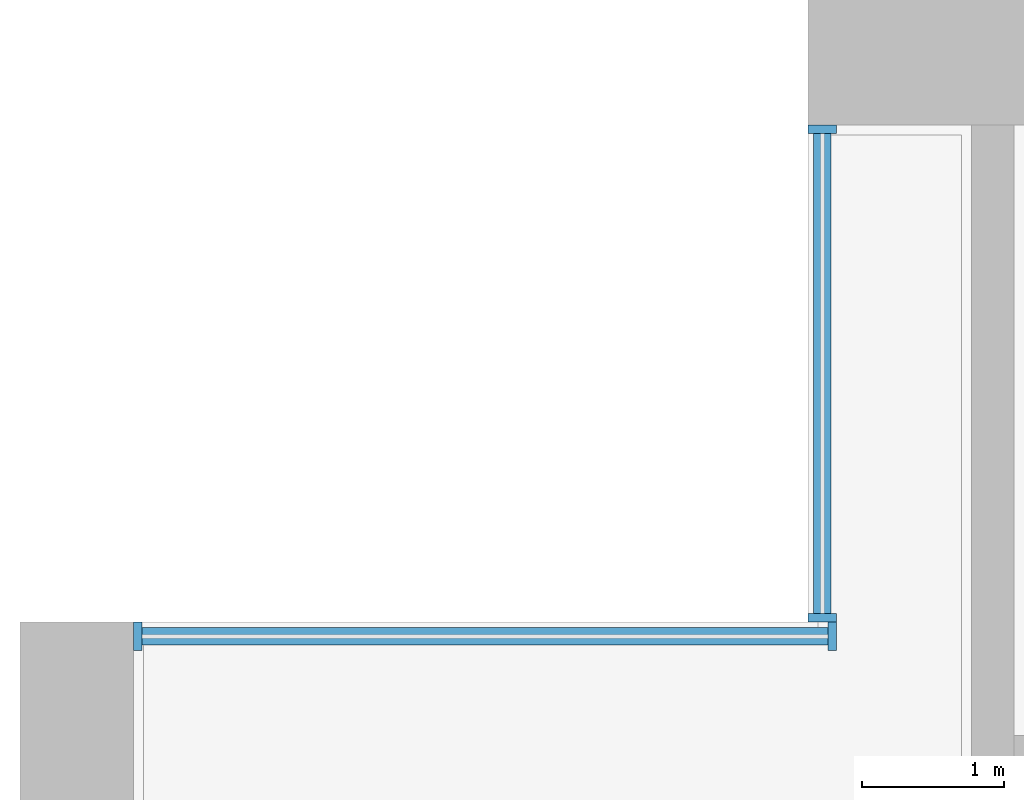
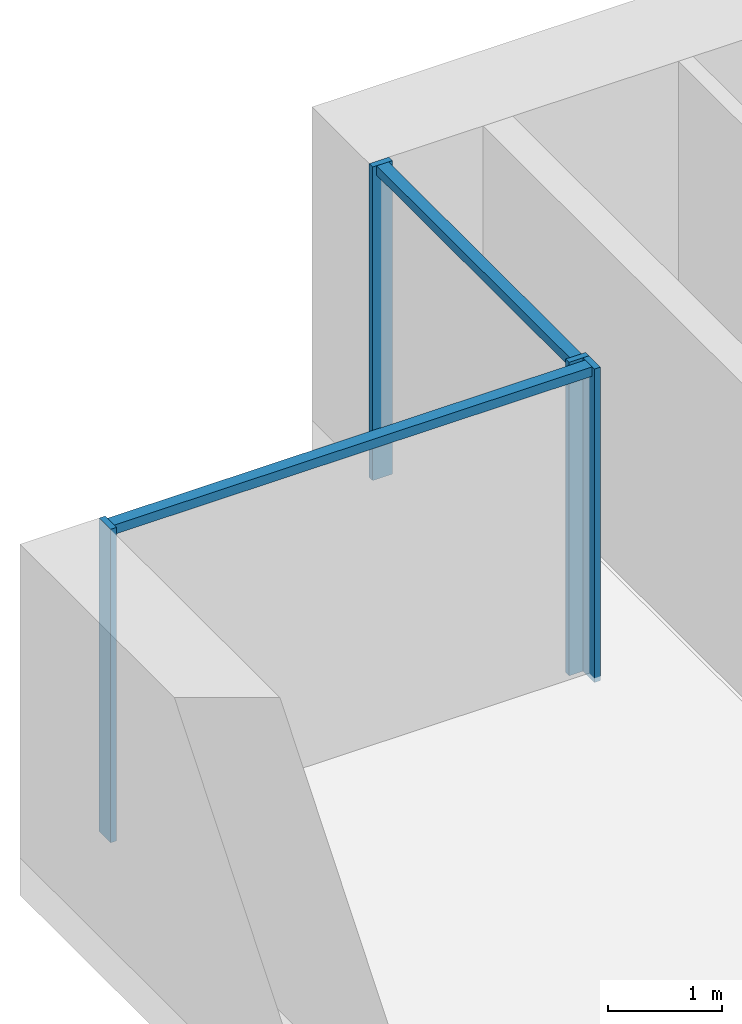
# One storey, part 4 of 18: 6 members, 2 elements without a shape of their own.
"""IFC4 building model written with IfcOpenShell, lengths in metres."""

import ifcopenshell
import ifcopenshell.guid

model = None  # the IFC model being written
_history = None  # IfcOwnerHistory: only IFC2X3 demands one
_inside = {}  # id of a spatial element -> (the spatial element, [elements in it])
_under = {}  # id of a project, library or spatial element -> (it, [spatial elements below it])
_declared = {}  # id of a project -> (the project, [libraries it declares])
_typed = {}  # id of a type object -> (the type object, [elements of that type])
_made_of = {}  # id of a material, layer set ... -> (it, [elements and type objects made of it])


def new_model(schema):
    """Start an empty IFC model of exactly this schema.

    Asked for "IFC4X3", IfcOpenShell would pick the latest addendum, in which some entities
    have other attributes; the version numbers below select the first issue.
    IFC2X3 requires an IfcOwnerHistory on every rooted entity: one is made here for all.
    """
    global model, _history
    if schema == "IFC4X3":
        model = ifcopenshell.file(schema_version=(4, 3, 0, 0))
    else:
        model = ifcopenshell.file(schema=schema)
    _inside.clear()
    _under.clear()
    _declared.clear()
    _typed.clear()
    _made_of.clear()
    _history = None
    if model.schema == "IFC2X3":
        org = make("IfcOrganization", Name="unknown")
        user = make(
            "IfcPersonAndOrganization",
            ThePerson=make("IfcPerson", FamilyName="unknown"),
            TheOrganization=org,
        )
        app = make(
            "IfcApplication",
            ApplicationDeveloper=org,
            Version="unknown",
            ApplicationFullName="unknown",
            ApplicationIdentifier="unknown",
        )
        _history = make(
            "IfcOwnerHistory",
            OwningUser=user,
            OwningApplication=app,
            ChangeAction="ADDED",
            CreationDate=0,
        )
    return model


def make(cls, **values):
    """One entity of the class cls with the attributes given. An attribute that is None is left unset."""
    return model.create_entity(
        cls, **{name: value for name, value in values.items() if value is not None}
    )


def rooted(cls, **values):
    """An entity with a GlobalId (a new one), such as an element, a storey or a relation."""
    return make(cls, GlobalId=ifcopenshell.guid.new(), OwnerHistory=_history, **values)


def si_unit(unit_type, name, prefix=None):
    """IfcSIUnit, for example si_unit("LENGTHUNIT", "METRE", prefix="MILLI")."""
    return make("IfcSIUnit", UnitType=unit_type, Prefix=prefix, Name=name)


def assignment(units):
    """IfcUnitAssignment: the units of a project."""
    return None if units is None else make("IfcUnitAssignment", Units=units)


def point(xyz):
    """IfcCartesianPoint."""
    return None if xyz is None else make("IfcCartesianPoint", Coordinates=xyz)


def direction(xyz):
    """IfcDirection."""
    return None if xyz is None else make("IfcDirection", DirectionRatios=xyz)


def frame(location, z_axis=None, x_axis=None):
    """IfcAxis2Placement3D, a coordinate frame: its origin and axes. An axis left out is left unset."""
    return make(
        "IfcAxis2Placement3D",
        Location=point(location),
        Axis=direction(z_axis),
        RefDirection=direction(x_axis),
    )


def frame_2d(location, x_axis=None):
    """IfcAxis2Placement2D, a coordinate frame in the plane: its origin and x axis."""
    return make(
        "IfcAxis2Placement2D", Location=point(location), RefDirection=direction(x_axis)
    )


def origin():
    """The frame at (0, 0, 0) with its axes left unset."""
    return frame((0.0, 0.0, 0.0))


def origin_2d():
    """The frame at (0, 0) in the plane with its x axis left unset."""
    return frame_2d((0.0, 0.0))


def place(relative_to, where):
    """IfcLocalPlacement: puts the frame where relative to a parent placement (None: the world)."""
    return make(
        "IfcLocalPlacement", PlacementRelTo=relative_to, RelativePlacement=where
    )


def context(
    kind, dimensions, precision=None, world=None, true_north=None, identifier=None
):
    """IfcGeometricRepresentationContext, for example the 3D "Model" context."""
    return make(
        "IfcGeometricRepresentationContext",
        ContextIdentifier=identifier,
        ContextType=kind,
        CoordinateSpaceDimension=dimensions,
        Precision=precision,
        WorldCoordinateSystem=world,
        TrueNorth=true_north,
    )


def subcontext(parent, identifier, kind, view, scale=None):
    """IfcGeometricRepresentationSubContext, for example "Body" below "Model"."""
    return make(
        "IfcGeometricRepresentationSubContext",
        ContextIdentifier=identifier,
        ContextType=kind,
        ParentContext=parent,
        TargetScale=scale,
        TargetView=view,
    )


def project(units=None, contexts=None):
    """IfcProject with its units and contexts."""
    return rooted(
        "IfcProject",
        Name="project",
        RepresentationContexts=contexts,
        UnitsInContext=assignment(units),
    )


def spatial(cls, under=None, at=None, **own):
    """A site, building, storey or space (cls), placed at a placement, below another one or the project."""
    s = rooted(cls, ObjectPlacement=at, **own)
    if under is not None:
        _under.setdefault(under.id(), (under, []))[1].append(s)
    return s


def profile(cls, at=None, kind="AREA", **sizes):
    """A parametric profile (cls). Its sizes go by their IFC names, for example OverallWidth=200.0."""
    return make(cls, ProfileType=kind, Position=at, **sizes)


def rectangle(**sizes):
    """IfcRectangleProfileDef."""
    return profile("IfcRectangleProfileDef", **sizes)


def extrude(swept, where, along, depth):
    """IfcExtrudedAreaSolid: the profile swept, set in the frame where, extruded along a direction by depth."""
    return make(
        "IfcExtrudedAreaSolid",
        SweptArea=swept,
        Position=where,
        ExtrudedDirection=direction(along),
        Depth=depth,
    )


def shape(context_of_items, identifier, shape_type, items):
    """IfcShapeRepresentation: the items that make up one representation, for example the "Body"."""
    return make(
        "IfcShapeRepresentation",
        ContextOfItems=context_of_items,
        RepresentationIdentifier=identifier,
        RepresentationType=shape_type,
        Items=items,
    )


def material(Name=None, Category=None):
    """IfcMaterial."""
    return make("IfcMaterial", Name=Name, Category=Category)


def material_profile(
    of_material, cross_section, Name=None, Category=None, Priority=None
):
    """IfcMaterialProfile: a cross section and its material."""
    return make(
        "IfcMaterialProfile",
        Name=Name,
        Material=of_material,
        Profile=cross_section,
        Priority=Priority,
        Category=Category,
    )


def profile_set(profiles, Name=None, composite=None):
    """IfcMaterialProfileSet."""
    return make(
        "IfcMaterialProfileSet",
        Name=Name,
        MaterialProfiles=profiles,
        CompositeProfile=composite,
    )


def made_of(thing, what):
    """Note that an element or type object is made of a material, layer set ...; save() writes the relation."""
    if what is not None:
        _made_of.setdefault(what.id(), (what, []))[1].append(thing)
    return thing


def type_object(cls, material=None, **own):
    """A type object (cls), such as IfcWallType, which elements share."""
    return made_of(rooted(cls, **own), material)


def element(
    cls,
    number,
    at=None,
    inside=None,
    cuts=None,
    type_object=None,
    material=None,
    context=None,
    identifier="Body",
    shape_type=None,
    held_by="IfcProductDefinitionShape",
    body=None,
    shapes=None,
    **own,
):
    """One element of the class cls, such as IfcWall. Its Tag is "e" and its number.

    at: its placement. inside: the storey or other place that contains it. cuts: it is an
    opening in that element (IfcRelVoidsElement). A single representation is given by context,
    identifier, shape_type and body (its items); several are given by shapes. held_by: the class
    of the entity that holds the representations. save() writes the other relations.
    """
    e = rooted(cls, Tag="e%d" % number, ObjectPlacement=at, **own)
    if body is not None:
        shapes = [shape(context, identifier, shape_type, body)]
    if shapes is not None:
        e.Representation = make(held_by, Representations=shapes)
    if inside is not None:
        _inside.setdefault(inside.id(), (inside, []))[1].append(e)
    if cuts is not None:
        rooted(
            "IfcRelVoidsElement", RelatingBuildingElement=cuts, RelatedOpeningElement=e
        )
    if type_object is not None:
        _typed.setdefault(type_object.id(), (type_object, []))[1].append(e)
    return made_of(e, material)


def aggregate(whole, parts):
    """IfcRelAggregates: a whole, such as a stair, and the parts it consists of."""
    return rooted("IfcRelAggregates", RelatingObject=whole, RelatedObjects=parts)


def save(model, path):
    """Write the relations noted so far, then the file.

    IfcRelAggregates (storeys below a building ...), IfcRelContainedInSpatialStructure (elements
    in a storey), IfcRelDefinesByType, IfcRelAssociatesMaterial and IfcRelDeclares: one each for
    every whole, place, type object, material and project.
    """
    for whole, parts in _under.values():
        aggregate(whole, parts)
    for where, things in _inside.values():
        rooted(
            "IfcRelContainedInSpatialStructure",
            RelatedElements=things,
            RelatingStructure=where,
        )
    for kind, things in _typed.values():
        rooted("IfcRelDefinesByType", RelatedObjects=things, RelatingType=kind)
    for what, things in _made_of.values():
        rooted("IfcRelAssociatesMaterial", RelatedObjects=things, RelatingMaterial=what)
    for by, libraries in _declared.values():
        rooted("IfcRelDeclares", RelatingContext=by, RelatedDefinitions=libraries)
    model.write(path)


model = new_model("IFC4")

# Units and contexts
model_context = context("Model", 3, precision=1e-05, world=origin(), true_north=direction((0.0, 1.0)))
body_context = subcontext(model_context, "Body", "Model", "MODEL_VIEW")
ifc_project = project(units=[si_unit("LENGTHUNIT", "METRE"), si_unit("AREAUNIT", "SQUARE_METRE"), si_unit("VOLUMEUNIT", "CUBIC_METRE"), si_unit("PLANEANGLEUNIT", "RADIAN"), si_unit("MASSUNIT", "GRAM", prefix="KILO")], contexts=[model_context])

# Site, building, storey
site_placement = place(None, origin())
site = spatial("IfcSite", under=ifc_project, at=site_placement, CompositionType="ELEMENT")
building_placement = place(site_placement, origin())
building = spatial("IfcBuilding", under=site, at=building_placement, Name="Calvaro Tower", CompositionType="ELEMENT")
storey_placement = place(building_placement, frame((0.0, 0.0, 82.5)))
storey = spatial("IfcBuildingStorey", under=building, at=storey_placement, Name="L20", CompositionType="ELEMENT", Elevation=82.5)

# Curtain wall, members
ifc_material_1 = material(Name="Anodised aluminium", Category="aluminium")
curtain_wall_type = type_object("IfcCurtainWallType", Name="Office curtain wall, lower zone", PredefinedType="NOTDEFINED", material=ifc_material_1)
curtain_wall_1_placement = place(storey_placement, origin())
curtain_wall_1 = element("IfcCurtainWall", 1, at=curtain_wall_1_placement, inside=storey, type_object=curtain_wall_type, Name="CW1 corner curtain wall", PredefinedType="NOTDEFINED")
ifc_material_2 = material(Name="Anodised aluminium", Category="aluminium")
ifc_material_profile_1 = material_profile(ifc_material_2, rectangle(XDim=0.199951171875, YDim=0.06005859375, at=origin_2d()), Name="Mullion S1 60 x 200")
ifc_profile_set_1 = profile_set([ifc_material_profile_1], Name="Anodised aluminium")
member_type_1 = type_object("IfcMemberType", Name="Mullion S1 60 x 200", PredefinedType="MULLION", material=ifc_profile_set_1)
member_1_placement = place(storey_placement, frame((5.64990234375, 41.530029296875, 0.0), z_axis=(0.0, 0.0, 1.0), x_axis=(-1.0, 0.0, 0.0)))
member_1 = element("IfcMember", 2, at=member_1_placement, type_object=member_type_1, Name="CW1 mullion 1", PredefinedType="MULLION", context=body_context, shape_type="SweptSolid", body=[
    extrude(rectangle(XDim=0.199951171875, YDim=0.06005859375, at=origin_2d()), origin(), (0.0, 0.0, 1.0), 3.35009765625),
])
member_2_placement = place(storey_placement, frame((5.64990234375, 44.969970703125, 0.0), z_axis=(0.0, 0.0, 1.0), x_axis=(-1.0, 0.0, 0.0)))
member_2 = element("IfcMember", 3, at=member_2_placement, type_object=member_type_1, Name="CW1 mullion 2", PredefinedType="MULLION", context=body_context, shape_type="SweptSolid", body=[
    extrude(rectangle(XDim=0.199951171875, YDim=0.06005859375, at=origin_2d()), origin(), (0.0, 0.0, 1.0), 3.35009765625),
])

curtain_wall_2_placement = place(storey_placement, origin())
curtain_wall_2 = element("IfcCurtainWall", 4, at=curtain_wall_2_placement, inside=storey, type_object=curtain_wall_type, Name="CW1 corner curtain wall", PredefinedType="NOTDEFINED")
member_3_placement = place(storey_placement, frame((0.830078125, 41.39990234375, 0.0), z_axis=(0.0, 0.0, 1.0), x_axis=(0.0, 1.0, 0.0)))
member_3 = element("IfcMember", 5, at=member_3_placement, type_object=member_type_1, Name="CW1 mullion 1", PredefinedType="MULLION", context=body_context, shape_type="SweptSolid", body=[
    extrude(rectangle(XDim=0.199951171875, YDim=0.06005859375, at=origin_2d()), origin(), (0.0, 0.0, 1.0), 3.35009765625),
])
member_4_placement = place(storey_placement, frame((5.719970703125, 41.39990234375, 0.0), z_axis=(0.0, 0.0, 1.0), x_axis=(0.0, 1.0, 0.0)))
member_4 = element("IfcMember", 6, at=member_4_placement, type_object=member_type_1, Name="CW1 mullion 2", PredefinedType="MULLION", context=body_context, shape_type="SweptSolid", body=[
    extrude(rectangle(XDim=0.199951171875, YDim=0.06005859375, at=origin_2d()), origin(), (0.0, 0.0, 1.0), 3.35009765625),
])

# Member
ifc_material_3 = material(Name="Anodised aluminium", Category="aluminium")
ifc_material_profile_2 = material_profile(ifc_material_3, rectangle(XDim=0.1201171875, YDim=0.10009765625, at=origin_2d()), Name="Transom S1 100 x 120")
ifc_profile_set_2 = profile_set([ifc_material_profile_2], Name="Anodised aluminium")
member_type_2 = type_object("IfcMemberType", Name="Transom S1 100 x 120", PredefinedType="USERDEFINED", material=ifc_profile_set_2)
member_5_placement = place(storey_placement, frame((5.64990234375, 41.56005859375, 3.300048828125), z_axis=(0.0, 1.0, 0.0), x_axis=(-1.0, 0.0, 0.0)))
member_5 = element("IfcMember", 7, at=member_5_placement, type_object=member_type_2, Name="CW1 transom 1.1", ObjectType="TRANSOM", PredefinedType="USERDEFINED", context=body_context, shape_type="SweptSolid", body=[
    extrude(rectangle(XDim=0.1201171875, YDim=0.10009765625, at=origin_2d()), origin(), (0.0, 0.0, 1.0), 3.3798828125),
])

aggregate(curtain_wall_1, [member_1, member_2, member_5])

member_6_placement = place(storey_placement, frame((0.860107421875, 41.39990234375, 3.300048828125), z_axis=(1.0, 0.0, 0.0), x_axis=(0.0, 1.0, 0.0)))
member_6 = element("IfcMember", 8, at=member_6_placement, type_object=member_type_2, Name="CW1 transom 1.1", ObjectType="TRANSOM", PredefinedType="USERDEFINED", context=body_context, shape_type="SweptSolid", body=[
    extrude(rectangle(XDim=0.1201171875, YDim=0.10009765625, at=origin_2d()), origin(), (0.0, 0.0, 1.0), 4.829833984375),
])

aggregate(curtain_wall_2, [member_3, member_4, member_6])

save(model, "model.ifc")
